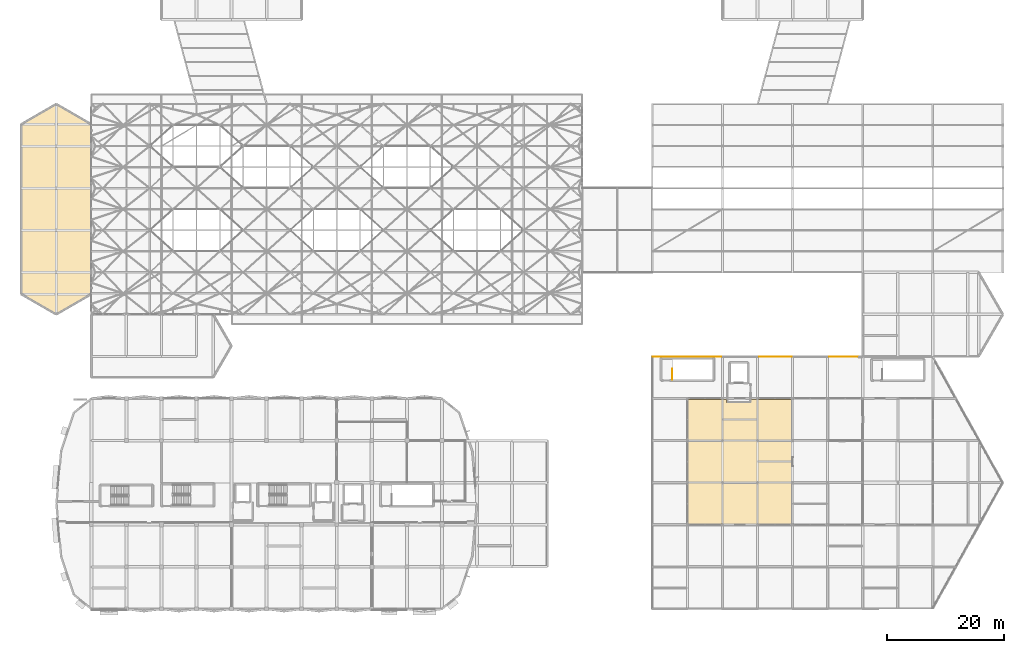
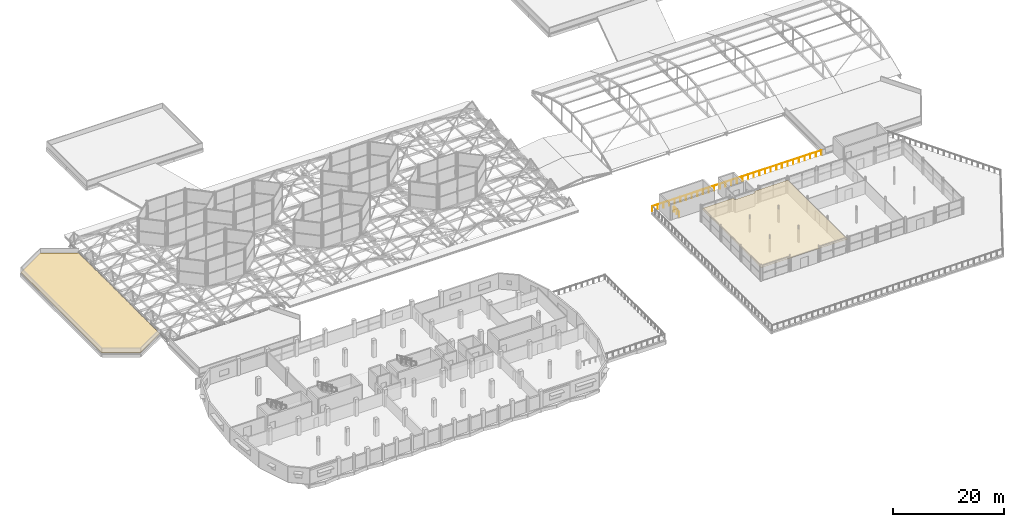
# One storey, part 237 of 239: 2 coverings, 2 railings.
"""IFC4 building model written with IfcOpenShell, lengths in metres."""

from ifc_helpers import new_model, si_unit, direction, frame, origin, origin_2d, place, context, subcontext, project, spatial, polyline, circle, outline, extrude, material, layer, layer_set, type_object, element, save


model = new_model("IFC4")

# Units and contexts
model_context = context("Model", 3, precision=1e-05, world=origin(), true_north=direction((0.0, 1.0)))
body_context = subcontext(model_context, "Body", "Model", "MODEL_VIEW")
ifc_project = project(units=[si_unit("LENGTHUNIT", "METRE"), si_unit("AREAUNIT", "SQUARE_METRE"), si_unit("VOLUMEUNIT", "CUBIC_METRE"), si_unit("PLANEANGLEUNIT", "RADIAN"), si_unit("MASSUNIT", "GRAM", prefix="KILO")], contexts=[model_context])

# Site, building, storey
site_placement = place(None, origin())
site = spatial("IfcSite", under=ifc_project, at=site_placement, CompositionType="ELEMENT")
building_placement = place(site_placement, origin())
building = spatial("IfcBuilding", under=site, at=building_placement, Name="Dunvalen Ferry Terminal", CompositionType="ELEMENT")
storey_placement = place(building_placement, frame((0.0, 0.0, 9.840087890625)))
storey = spatial("IfcBuildingStorey", under=building, at=storey_placement, Name="L02", CompositionType="ELEMENT", Elevation=9.840087890625)

# Covering
ifc_material_1 = material(Name="Extensive coastal sedum green-roof build-up", Category="earth")
ifc_layer_1 = layer(ifc_material_1, 0.1201171875, Name="Extensive coastal sedum green-roof build-up")
ifc_layer_set_1 = layer_set([ifc_layer_1], Name="Extensive coastal sedum green-roof build-up")
covering_type_1 = type_object("IfcCoveringType", Name="ENV-COV-GRN02", PredefinedType="ROOFING", material=ifc_layer_set_1)
covering_1_placement = place(storey_placement, frame((0.0, 0.0, 0.239990234375)))
element("IfcCovering", 1, at=covering_1_placement, inside=storey, type_object=covering_type_1, Name="L02 V1AW Planted Coastal Sedum Roof", PredefinedType="ROOFING", context=body_context, shape_type="SweptSolid", body=[
    extrude(outline(polyline([(6.0, 50.39990234375), (12.0, 53.864013671875), (12.0, 82.935791015625), (6.0, 86.39990234375), (0.0, 82.935791015625), (0.0, 53.864013671875), (6.0, 50.39990234375)])), origin(), (0.0, 0.0, 1.0), 0.119873046875),
])

# Railing
ifc_material_2 = material(Name="Marine grade 316 stainless steel", Category="steel")
railing_type_1 = type_object("IfcRailingType", Name="ENV-RL-BAL112", PredefinedType="BALUSTRADE", material=ifc_material_2)
railing_1_placement = place(storey_placement, frame((143.199951171875, 43.14990234375, 0.0)))
element("IfcRailing", 2, at=railing_1_placement, inside=storey, type_object=railing_type_1, Name="L02 Outdoor Terrace Safety Guard GRD-PROM-N", PredefinedType="BALUSTRADE", context=body_context, shape_type="SweptSolid", body=[
    extrude(circle(Radius=0.02392578125, at=origin_2d()), frame((0.0, 0.0, 1.09619140625), z_axis=(-1.0, 0.0, 0.0), x_axis=(0.0, -1.0, 0.0)), (0.0, 0.0, 1.0), 35.14990234375),
    extrude(circle(Radius=0.02099609375, at=origin_2d()), origin(), (0.0, 0.0, 1.0), 1.072021484375),
    extrude(circle(Radius=0.02099609375, at=origin_2d()), frame((-1.171630859375, 0.0, 0.0)), (0.0, 0.0, 1.0), 1.072021484375),
    extrude(circle(Radius=0.02099609375, at=origin_2d()), frame((-2.34326171875, 0.0, 0.0)), (0.0, 0.0, 1.0), 1.072021484375),
    extrude(circle(Radius=0.02099609375, at=origin_2d()), frame((-3.514892578125, 0.0, 0.0)), (0.0, 0.0, 1.0), 1.072021484375),
    extrude(circle(Radius=0.02099609375, at=origin_2d()), frame((-4.686767578125, 0.0, 0.0)), (0.0, 0.0, 1.0), 1.072021484375),
    extrude(circle(Radius=0.02099609375, at=origin_2d()), frame((-5.8583984375, 0.0, 0.0)), (0.0, 0.0, 1.0), 1.072021484375),
    extrude(circle(Radius=0.02099609375, at=origin_2d()), frame((-7.030029296875, 0.0, 0.0)), (0.0, 0.0, 1.0), 1.072021484375),
    extrude(circle(Radius=0.02099609375, at=origin_2d()), frame((-8.20166015625, 0.0, 0.0)), (0.0, 0.0, 1.0), 1.072021484375),
    extrude(circle(Radius=0.02099609375, at=origin_2d()), frame((-9.373291015625, 0.0, 0.0)), (0.0, 0.0, 1.0), 1.072021484375),
    extrude(circle(Radius=0.02099609375, at=origin_2d()), frame((-10.544921875, 0.0, 0.0)), (0.0, 0.0, 1.0), 1.072021484375),
    extrude(circle(Radius=0.02099609375, at=origin_2d()), frame((-11.716552734375, 0.0, 0.0)), (0.0, 0.0, 1.0), 1.072021484375),
    extrude(circle(Radius=0.02099609375, at=origin_2d()), frame((-12.88818359375, 0.0, 0.0)), (0.0, 0.0, 1.0), 1.072021484375),
    extrude(circle(Radius=0.02099609375, at=origin_2d()), frame((-14.06005859375, 0.0, 0.0)), (0.0, 0.0, 1.0), 1.072021484375),
    extrude(circle(Radius=0.02099609375, at=origin_2d()), frame((-15.231689453125, 0.0, 0.0)), (0.0, 0.0, 1.0), 1.072021484375),
    extrude(circle(Radius=0.02099609375, at=origin_2d()), frame((-16.4033203125, 0.0, 0.0)), (0.0, 0.0, 1.0), 1.072021484375),
    extrude(circle(Radius=0.02099609375, at=origin_2d()), frame((-17.574951171875, 0.0, 0.0)), (0.0, 0.0, 1.0), 1.072021484375),
    extrude(circle(Radius=0.02099609375, at=origin_2d()), frame((-18.74658203125, 0.0, 0.0)), (0.0, 0.0, 1.0), 1.072021484375),
    extrude(circle(Radius=0.02099609375, at=origin_2d()), frame((-19.918212890625, 0.0, 0.0)), (0.0, 0.0, 1.0), 1.072021484375),
    extrude(circle(Radius=0.02099609375, at=origin_2d()), frame((-21.08984375, 0.0, 0.0)), (0.0, 0.0, 1.0), 1.072021484375),
    extrude(circle(Radius=0.02099609375, at=origin_2d()), frame((-22.26171875, 0.0, 0.0)), (0.0, 0.0, 1.0), 1.072021484375),
    extrude(circle(Radius=0.02099609375, at=origin_2d()), frame((-23.433349609375, 0.0, 0.0)), (0.0, 0.0, 1.0), 1.072021484375),
    extrude(circle(Radius=0.02099609375, at=origin_2d()), frame((-24.60498046875, 0.0, 0.0)), (0.0, 0.0, 1.0), 1.072021484375),
    extrude(circle(Radius=0.02099609375, at=origin_2d()), frame((-25.776611328125, 0.0, 0.0)), (0.0, 0.0, 1.0), 1.072021484375),
    extrude(circle(Radius=0.02099609375, at=origin_2d()), frame((-26.9482421875, 0.0, 0.0)), (0.0, 0.0, 1.0), 1.072021484375),
    extrude(circle(Radius=0.02099609375, at=origin_2d()), frame((-28.119873046875, 0.0, 0.0)), (0.0, 0.0, 1.0), 1.072021484375),
    extrude(circle(Radius=0.02099609375, at=origin_2d()), frame((-29.29150390625, 0.0, 0.0)), (0.0, 0.0, 1.0), 1.072021484375),
    extrude(circle(Radius=0.02099609375, at=origin_2d()), frame((-30.463134765625, 0.0, 0.0)), (0.0, 0.0, 1.0), 1.072021484375),
    extrude(circle(Radius=0.02099609375, at=origin_2d()), frame((-31.635009765625, 0.0, 0.0)), (0.0, 0.0, 1.0), 1.072021484375),
    extrude(circle(Radius=0.02099609375, at=origin_2d()), frame((-32.806640625, 0.0, 0.0)), (0.0, 0.0, 1.0), 1.072021484375),
    extrude(circle(Radius=0.02099609375, at=origin_2d()), frame((-33.978271484375, 0.0, 0.0)), (0.0, 0.0, 1.0), 1.072021484375),
    extrude(circle(Radius=0.02099609375, at=origin_2d()), frame((-35.14990234375, 0.0, 0.0)), (0.0, 0.0, 1.0), 1.072021484375),
])

# Covering
ifc_material_3 = material(Name="Perforated marine aluminium acoustic baffle ceiling", Category="aluminium")
ifc_layer_2 = layer(ifc_material_3, 0.0400390625, Name="Perforated marine aluminium acoustic baffle ceiling")
ifc_layer_set_2 = layer_set([ifc_layer_2], Name="Perforated marine aluminium acoustic baffle ceiling")
covering_type_2 = type_object("IfcCoveringType", Name="INT-COV-CLG01", PredefinedType="CEILING", material=ifc_layer_set_2)
covering_2_placement = place(storey_placement, frame((0.0, 0.0, 2.809814453125)))
element("IfcCovering", 3, at=covering_2_placement, inside=storey, type_object=covering_type_2, Name="L02 Harbour Promenade Cafe and Bay Dining Room Acoustic Suspended Ceiling", PredefinedType="CEILING", context=body_context, shape_type="SweptSolid", body=[
    extrude(outline(polyline([(132.090087890625, 14.530029296875), (132.090087890625, 35.8701171875), (124.88134765625, 35.8701171875), (124.87353515625, 35.37158203125), (124.851806640625, 35.339111328125), (124.807861328125, 35.32080078125), (120.8056640625, 35.320068359375), (120.746826171875, 35.341064453125), (120.7265625, 35.37158203125), (120.718505859375, 35.8701171875), (114.1298828125, 35.8701171875), (114.1298828125, 14.530029296875), (132.090087890625, 14.530029296875)])), origin(), (0.0, 0.0, 1.0), 0.0400390625),
])

# Railing
ifc_material_4 = material(Name="Painted galvanised steel S275", Category="steel")
railing_type_2 = type_object("IfcRailingType", Name="INT-RL-STGRD", PredefinedType="GUARDRAIL", material=ifc_material_4)
railing_2_placement = place(storey_placement, frame((111.39990234375, 39.25, 0.0)))
element("IfcRailing", 4, at=railing_2_placement, inside=storey, type_object=railing_type_2, Name="L02 ST4 top well guard 1", PredefinedType="GUARDRAIL", context=body_context, shape_type="SweptSolid", body=[
    extrude(circle(Radius=0.02392578125, at=origin_2d()), frame((0.0, 0.0, 1.076171875), z_axis=(0.0, 1.0, 0.0), x_axis=(-1.0, 0.0, 0.0)), (0.0, 0.0, 1.0), 1.85009765625),
    extrude(circle(Radius=0.02099609375, at=origin_2d()), origin(), (0.0, 0.0, 1.0), 1.052001953125),
    extrude(circle(Radius=0.02099609375, at=origin_2d()), frame((0.0, 0.925048828125, 0.0)), (0.0, 0.0, 1.0), 1.052001953125),
    extrude(circle(Radius=0.02099609375, at=origin_2d()), frame((0.0, 1.85009765625, 0.0)), (0.0, 0.0, 1.0), 1.052001953125),
])

save(model, "model.ifc")
